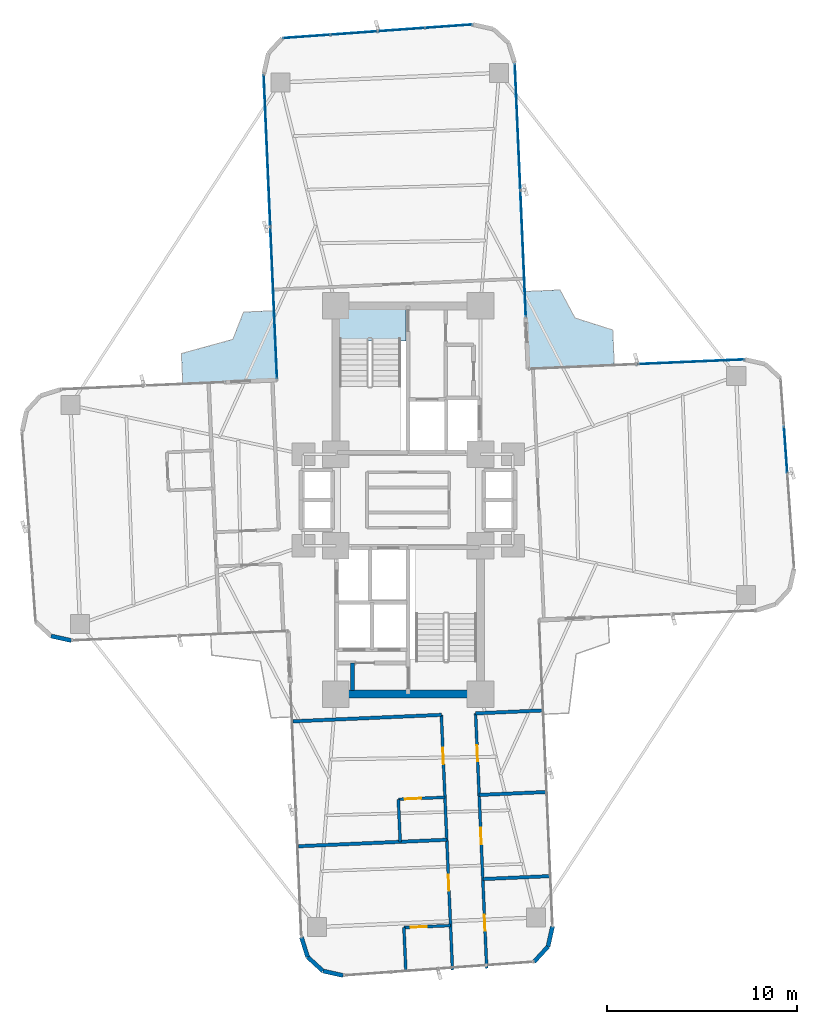
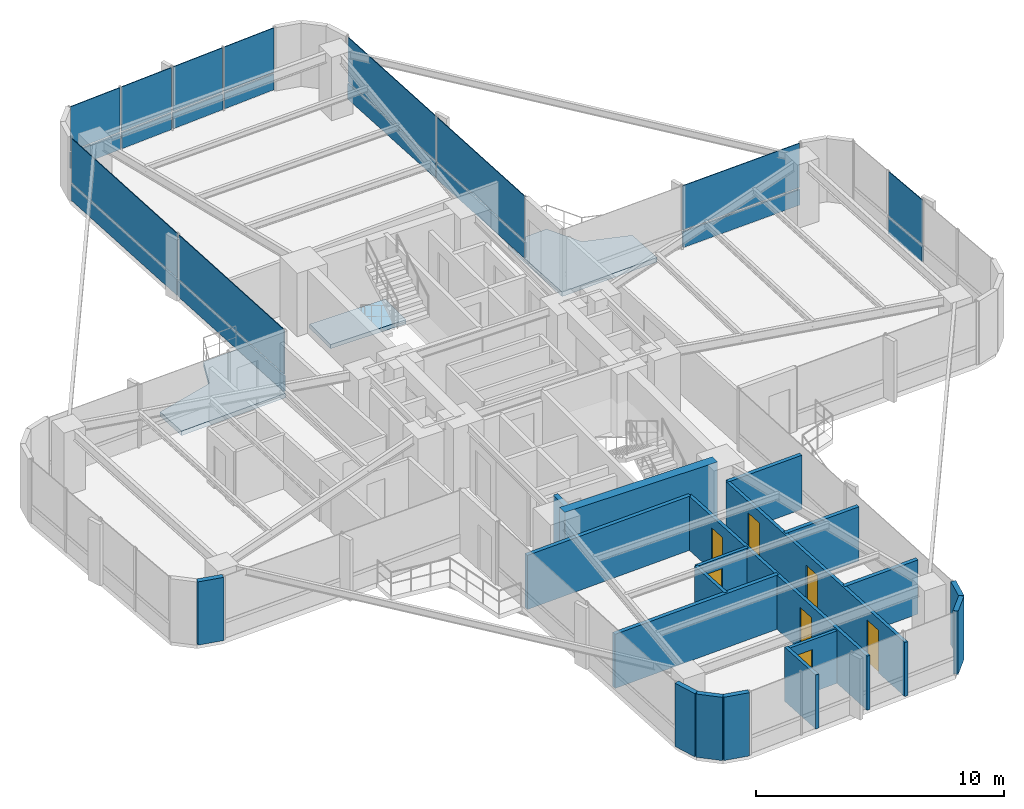
# One storey, part 22 of 26: 20 plates, 19 walls, 7 doors, 3 slabs, 7 openings, 5 elements without a shape of their own.
"""IFC4 building model written with IfcOpenShell, lengths in metres."""

from ifc_helpers import new_model, si_unit, direction, frame, frame_2d, origin, origin_2d, place, context, subcontext, project, spatial, polyline, rectangle, outline, extrude, source, transform, mapped, material, layer, layer_set, type_object, element, fill, aggregate, save


model = new_model("IFC4")

# Units and contexts
model_context = context("Model", 3, precision=1e-05, world=origin(), true_north=direction((0.0, 1.0)))
body_context = subcontext(model_context, "Body", "Model", "MODEL_VIEW")
ifc_project = project(units=[si_unit("LENGTHUNIT", "METRE"), si_unit("AREAUNIT", "SQUARE_METRE"), si_unit("VOLUMEUNIT", "CUBIC_METRE"), si_unit("PLANEANGLEUNIT", "RADIAN"), si_unit("MASSUNIT", "GRAM", prefix="KILO")], contexts=[model_context])

# Site, building, storey
site_placement = place(None, origin())
site = spatial("IfcSite", under=ifc_project, at=site_placement, CompositionType="ELEMENT")
building_placement = place(site_placement, origin())
building = spatial("IfcBuilding", under=site, at=building_placement, Name="Sahyath Konkavel Grand Hotel", CompositionType="ELEMENT")
storey_placement = place(building_placement, frame((0.0, 0.0, 96.89990234375)))
storey = spatial("IfcBuildingStorey", under=building, at=storey_placement, Name="L26", CompositionType="ELEMENT", Elevation=96.89990234375)

# Slabs
ifc_material_1 = material(Name="Concrete C40/50", Category="concrete")
ifc_layer_1 = layer(ifc_material_1, 0.219970703125)
ifc_layer_set_1 = layer_set([ifc_layer_1], Name="Concrete C40/50")
slab_type_1 = type_object("IfcSlabType", Name="SLB-BALCONY-220", PredefinedType="FLOOR", material=ifc_layer_set_1)
slab_1_placement = place(storey_placement, frame((0.0, 0.0, -0.219970703125)))
element("IfcSlab", 1, at=slab_1_placement, inside=storey, type_object=slab_type_1, Name="L26 Winter-Garden Balcony NE", PredefinedType="FLOOR", context=body_context, shape_type="SweptSolid", body=[
    extrude(outline(polyline([(6.305908203125, 6.881591796875), (10.82861328125, 7.0791015625), (10.747802734375, 8.927734375), (8.76123046875, 9.561279296875), (7.976806640625, 11.031494140625), (6.128173828125, 10.95068359375), (6.305908203125, 6.881591796875)])), origin(), (0.0, 0.0, 1.0), 0.219970703125),
])
slab_2_placement = place(storey_placement, frame((0.0, 0.0, -0.219970703125)))
element("IfcSlab", 2, at=slab_2_placement, inside=storey, type_object=slab_type_1, Name="L26 Winter-Garden Balcony NW", PredefinedType="FLOOR", context=body_context, shape_type="SweptSolid", body=[
    extrude(outline(polyline([(-6.881591796875, 6.305908203125), (-7.040283203125, 9.9404296875), (-8.642822265625, 9.870361328125), (-9.20458984375, 8.4345703125), (-11.908935546875, 7.69189453125), (-11.8388671875, 6.08935546875), (-6.881591796875, 6.305908203125)])), origin(), (0.0, 0.0, 1.0), 0.219970703125),
])
ifc_layer_2 = layer(ifc_material_1, 0.199951171875)
ifc_layer_set_2 = layer_set([ifc_layer_2], Name="Concrete C40/50")
slab_type_2 = type_object("IfcSlabType", Name="SLB-STAIR-LND", PredefinedType="LANDING", material=ifc_layer_set_2)
slab_3_placement = place(storey_placement, frame((0.0, 0.0, -0.199951171875)))
element("IfcSlab", 3, at=slab_3_placement, inside=storey, type_object=slab_type_2, Name="L26 Stair ST-1 Floor Landing Slab", PredefinedType="LANDING", context=body_context, shape_type="SweptSolid", body=[
    extrude(outline(polyline([(-3.6201171875, 8.35009765625), (-0.10009765625, 8.35009765625), (-0.10009765625, 10.02001953125), (-3.6201171875, 10.02001953125), (-3.6201171875, 8.35009765625)])), origin(), (0.0, 0.0, 1.0), 0.199951171875),
])

# Curtain wall, plate
ifc_material_2 = material(Name="Anodised Bronze Aluminium & Low-E Glazing", Category="aluminium")
curtain_wall_type = type_object("IfcCurtainWallType", Name="CW-ZONE2", PredefinedType="NOTDEFINED", material=ifc_material_2)
curtain_wall_1_placement = place(storey_placement, origin())
curtain_wall_1 = element("IfcCurtainWall", 4, at=curtain_wall_1_placement, inside=storey, type_object=curtain_wall_type, Name="L26 Unitised Curtain Wall F4", PredefinedType="NOTDEFINED")
ifc_material_3 = material(Name="Warm Buff Sandstone Cladding", Category="masonry")
ifc_layer_3 = layer(ifc_material_3, 0.074951171875)
ifc_layer_set_3 = layer_set([ifc_layer_3], Name="Warm Buff Sandstone Cladding")
plate_type_1 = type_object("IfcPlateType", Name="PNL-SPANDREL-STONE", PredefinedType="SHEET", material=ifc_layer_set_3)
shared_shape_1 = source(origin(), body_context, "Body", "SweptSolid", [
    extrude(rectangle(XDim=2.41357421875, YDim=0.074951171875, at=origin_2d()), origin(), (0.0, 0.0, 1.0), 0.77001953125),
])
plate_1_placement = place(storey_placement, frame((19.828369140625, 2.638671875, 0.0400390625), z_axis=(0.0, 0.0, 1.0), x_axis=(-0.071567078661, 0.997435789037, 0.0)))
plate_1 = element("IfcPlate", 5, at=plate_1_placement, type_object=plate_type_1, Name="L26 Sandstone Relief Spandrel Panel F4-2", PredefinedType="SHEET", context=body_context, shape_type="MappedRepresentation", body=[
    mapped(shared_shape_1, transform((0.0, 0.0, 0.0), scale=1.0)),
])

# Curtain wall, plates
curtain_wall_2_placement = place(storey_placement, origin())
curtain_wall_2 = element("IfcCurtainWall", 6, at=curtain_wall_2_placement, inside=storey, type_object=curtain_wall_type, Name="L26 Unitised Curtain Wall F12", PredefinedType="NOTDEFINED")
plate_2_placement = place(storey_placement, frame((2.130615234375, 24.880615234375, 0.0400390625), z_axis=(0.0, 0.0, 1.0), x_axis=(-0.997435789037, -0.071567078661, 0.0)))
plate_2 = element("IfcPlate", 7, at=plate_2_placement, type_object=plate_type_1, Name="L26 Sandstone Relief Spandrel Panel F12-0", PredefinedType="SHEET", context=body_context, shape_type="MappedRepresentation", body=[
    mapped(shared_shape_1, transform((0.0, 0.0, 0.0), scale=1.0)),
])
plate_3_placement = place(storey_placement, frame((-0.356689453125, 24.7021484375, 0.0400390625), z_axis=(0.0, 0.0, 1.0), x_axis=(-0.997435789037, -0.071567078661, 0.0)))
plate_3 = element("IfcPlate", 8, at=plate_3_placement, type_object=plate_type_1, Name="L26 Sandstone Relief Spandrel Panel F12-1", PredefinedType="SHEET", context=body_context, shape_type="MappedRepresentation", body=[
    mapped(shared_shape_1, transform((0.0, 0.0, 0.0), scale=1.0)),
])
plate_4_placement = place(storey_placement, frame((-2.84375, 24.523681640625, 0.0400390625), z_axis=(0.0, 0.0, 1.0), x_axis=(-0.997435789037, -0.071567078661, 0.0)))
plate_4 = element("IfcPlate", 9, at=plate_4_placement, type_object=plate_type_1, Name="L26 Sandstone Relief Spandrel Panel F12-2", PredefinedType="SHEET", context=body_context, shape_type="MappedRepresentation", body=[
    mapped(shared_shape_1, transform((0.0, 0.0, 0.0), scale=1.0)),
])
plate_5_placement = place(storey_placement, frame((-5.330810546875, 24.34521484375, 0.0400390625), z_axis=(0.0, 0.0, 1.0), x_axis=(-0.997435789037, -0.071567078661, 0.0)))
plate_5 = element("IfcPlate", 10, at=plate_5_placement, type_object=plate_type_1, Name="L26 Sandstone Relief Spandrel Panel F12-3", PredefinedType="SHEET", context=body_context, shape_type="MappedRepresentation", body=[
    mapped(shared_shape_1, transform((0.0, 0.0, 0.0), scale=1.0)),
])

# Curtain wall, plate
curtain_wall_3_placement = place(storey_placement, origin())
curtain_wall_3 = element("IfcCurtainWall", 11, at=curtain_wall_3_placement, inside=storey, type_object=curtain_wall_type, Name="L26 Unitised Curtain Wall F7", PredefinedType="NOTDEFINED")
shared_shape_2 = source(origin(), body_context, "Body", "SweptSolid", [
    extrude(rectangle(XDim=5.580078125, YDim=0.074951171875, at=origin_2d()), origin(), (0.0, 0.0, 1.0), 0.77001953125),
])
plate_6_placement = place(storey_placement, frame((14.82763671875, 7.25390625, 0.0400390625), z_axis=(0.0, 0.0, 1.0), x_axis=(-0.999048221582, -0.043619387365, 0.0)))
plate_6 = element("IfcPlate", 12, at=plate_6_placement, type_object=plate_type_1, Name="L26 Sandstone Relief Spandrel Panel F7-0", PredefinedType="SHEET", context=body_context, shape_type="MappedRepresentation", body=[
    mapped(shared_shape_2, transform((0.0, 0.0, 0.0), scale=1.0)),
])

# Curtain wall, plates
curtain_wall_4_placement = place(storey_placement, origin())
curtain_wall_4 = element("IfcCurtainWall", 13, at=curtain_wall_4_placement, inside=storey, type_object=curtain_wall_type, Name="L26 Unitised Curtain Wall F8", PredefinedType="NOTDEFINED")
shared_shape_3 = source(origin(), body_context, "Body", "SweptSolid", [
    extrude(rectangle(XDim=6.580078125, YDim=0.074951171875, at=origin_2d()), origin(), (0.0, 0.0, 1.0), 0.77001953125),
])
plate_7_placement = place(storey_placement, frame((6.041015625, 12.94580078125, 0.0400390625), z_axis=(0.0, 0.0, 1.0), x_axis=(-0.043619387365, 0.999048221582, 0.0)))
plate_7 = element("IfcPlate", 14, at=plate_7_placement, type_object=plate_type_1, Name="L26 Sandstone Relief Spandrel Panel F8-0", PredefinedType="SHEET", context=body_context, shape_type="MappedRepresentation", body=[
    mapped(shared_shape_3, transform((0.0, 0.0, 0.0), scale=1.0)),
])
plate_8_placement = place(storey_placement, frame((5.75048828125, 19.599609375, 0.0400390625), z_axis=(0.0, 0.0, 1.0), x_axis=(-0.043619387365, 0.999048221582, 0.0)))
plate_8 = element("IfcPlate", 15, at=plate_8_placement, type_object=plate_type_1, Name="L26 Sandstone Relief Spandrel Panel F8-1", PredefinedType="SHEET", context=body_context, shape_type="MappedRepresentation", body=[
    mapped(shared_shape_3, transform((0.0, 0.0, 0.0), scale=1.0)),
])

curtain_wall_5_placement = place(storey_placement, origin())
curtain_wall_5 = element("IfcCurtainWall", 16, at=curtain_wall_5_placement, inside=storey, type_object=curtain_wall_type, Name="L26 Unitised Curtain Wall F15", PredefinedType="NOTDEFINED")
shared_shape_4 = source(origin(), body_context, "Body", "SweptSolid", [
    extrude(rectangle(XDim=7.929931640625, YDim=0.074951171875, at=origin_2d()), origin(), (0.0, 0.0, 1.0), 0.77001953125),
])
plate_9_placement = place(storey_placement, frame((-7.407470703125, 18.349365234375, 0.0400390625), z_axis=(0.0, 0.0, 1.0), x_axis=(0.043619387365, -0.999048221582, 0.0)))
plate_9 = element("IfcPlate", 17, at=plate_9_placement, type_object=plate_type_1, Name="L26 Sandstone Relief Spandrel Panel F15-0", PredefinedType="SHEET", context=body_context, shape_type="MappedRepresentation", body=[
    mapped(shared_shape_4, transform((0.0, 0.0, 0.0), scale=1.0)),
])
plate_10_placement = place(storey_placement, frame((-7.05810546875, 10.346923828125, 0.0400390625), z_axis=(0.0, 0.0, 1.0), x_axis=(0.043619387365, -0.999048221582, 0.0)))
plate_10 = element("IfcPlate", 18, at=plate_10_placement, type_object=plate_type_1, Name="L26 Sandstone Relief Spandrel Panel F15-1", PredefinedType="SHEET", context=body_context, shape_type="MappedRepresentation", body=[
    mapped(shared_shape_4, transform((0.0, 0.0, 0.0), scale=1.0)),
])

# Plate
ifc_material_4 = material(Name="Low-E Solar Control Double Glazing", Category="glass")
ifc_layer_4 = layer(ifc_material_4, 0.035888671875)
ifc_layer_set_4 = layer_set([ifc_layer_4], Name="Low-E Solar Control Double Glazing")
plate_type_2 = type_object("IfcPlateType", Name="PNL-VISION-LOWE", PredefinedType="CURTAIN_PANEL", material=ifc_layer_set_4)
shared_shape_5 = source(origin(), body_context, "Body", "SweptSolid", [
    extrude(rectangle(XDim=2.41357421875, YDim=0.035888671875, at=origin_2d()), origin(), (0.0, 0.0, 1.0), 2.179931640625),
])
plate_11_placement = place(storey_placement, frame((19.828369140625, 2.638671875, 0.89013671875), z_axis=(0.0, 0.0, 1.0), x_axis=(-0.071567078661, 0.997435789037, 0.0)))
plate_11 = element("IfcPlate", 19, at=plate_11_placement, type_object=plate_type_2, Name="L26 Low-E Vision Glazing Panel F4-2", PredefinedType="CURTAIN_PANEL", context=body_context, shape_type="MappedRepresentation", body=[
    mapped(shared_shape_5, transform((0.0, 0.0, 0.0), scale=1.0)),
])

aggregate(curtain_wall_1, [plate_1, plate_11])

plate_12_placement = place(storey_placement, frame((2.130615234375, 24.880615234375, 0.89013671875), z_axis=(0.0, 0.0, 1.0), x_axis=(-0.997435789037, -0.071567078661, 0.0)))
plate_12 = element("IfcPlate", 20, at=plate_12_placement, type_object=plate_type_2, Name="L26 Low-E Vision Glazing Panel F12-0", PredefinedType="CURTAIN_PANEL", context=body_context, shape_type="MappedRepresentation", body=[
    mapped(shared_shape_5, transform((0.0, 0.0, 0.0), scale=1.0)),
])

plate_13_placement = place(storey_placement, frame((-0.356689453125, 24.7021484375, 0.89013671875), z_axis=(0.0, 0.0, 1.0), x_axis=(-0.997435789037, -0.071567078661, 0.0)))
plate_13 = element("IfcPlate", 21, at=plate_13_placement, type_object=plate_type_2, Name="L26 Low-E Vision Glazing Panel F12-1", PredefinedType="CURTAIN_PANEL", context=body_context, shape_type="MappedRepresentation", body=[
    mapped(shared_shape_5, transform((0.0, 0.0, 0.0), scale=1.0)),
])

plate_14_placement = place(storey_placement, frame((-2.84375, 24.523681640625, 0.89013671875), z_axis=(0.0, 0.0, 1.0), x_axis=(-0.997435789037, -0.071567078661, 0.0)))
plate_14 = element("IfcPlate", 22, at=plate_14_placement, type_object=plate_type_2, Name="L26 Low-E Vision Glazing Panel F12-2", PredefinedType="CURTAIN_PANEL", context=body_context, shape_type="MappedRepresentation", body=[
    mapped(shared_shape_5, transform((0.0, 0.0, 0.0), scale=1.0)),
])

plate_15_placement = place(storey_placement, frame((-5.330810546875, 24.34521484375, 0.89013671875), z_axis=(0.0, 0.0, 1.0), x_axis=(-0.997435789037, -0.071567078661, 0.0)))
plate_15 = element("IfcPlate", 23, at=plate_15_placement, type_object=plate_type_2, Name="L26 Low-E Vision Glazing Panel F12-3", PredefinedType="CURTAIN_PANEL", context=body_context, shape_type="MappedRepresentation", body=[
    mapped(shared_shape_5, transform((0.0, 0.0, 0.0), scale=1.0)),
])

aggregate(curtain_wall_2, [plate_2, plate_12, plate_3, plate_13, plate_4, plate_14, plate_5, plate_15])

shared_shape_6 = source(origin(), body_context, "Body", "SweptSolid", [
    extrude(rectangle(XDim=5.580078125, YDim=0.035888671875, at=origin_2d()), origin(), (0.0, 0.0, 1.0), 2.179931640625),
])
plate_16_placement = place(storey_placement, frame((14.82763671875, 7.25390625, 0.89013671875), z_axis=(0.0, 0.0, 1.0), x_axis=(-0.999048221582, -0.043619387365, 0.0)))
plate_16 = element("IfcPlate", 24, at=plate_16_placement, type_object=plate_type_2, Name="L26 Low-E Vision Glazing Panel F7-0", PredefinedType="CURTAIN_PANEL", context=body_context, shape_type="MappedRepresentation", body=[
    mapped(shared_shape_6, transform((0.0, 0.0, 0.0), scale=1.0)),
])

aggregate(curtain_wall_3, [plate_6, plate_16])

shared_shape_7 = source(origin(), body_context, "Body", "SweptSolid", [
    extrude(rectangle(XDim=6.580078125, YDim=0.035888671875, at=origin_2d()), origin(), (0.0, 0.0, 1.0), 2.179931640625),
])
plate_17_placement = place(storey_placement, frame((6.041015625, 12.94580078125, 0.89013671875), z_axis=(0.0, 0.0, 1.0), x_axis=(-0.043619387365, 0.999048221582, 0.0)))
plate_17 = element("IfcPlate", 25, at=plate_17_placement, type_object=plate_type_2, Name="L26 Low-E Vision Glazing Panel F8-0", PredefinedType="CURTAIN_PANEL", context=body_context, shape_type="MappedRepresentation", body=[
    mapped(shared_shape_7, transform((0.0, 0.0, 0.0), scale=1.0)),
])

plate_18_placement = place(storey_placement, frame((5.75048828125, 19.599609375, 0.89013671875), z_axis=(0.0, 0.0, 1.0), x_axis=(-0.043619387365, 0.999048221582, 0.0)))
plate_18 = element("IfcPlate", 26, at=plate_18_placement, type_object=plate_type_2, Name="L26 Low-E Vision Glazing Panel F8-1", PredefinedType="CURTAIN_PANEL", context=body_context, shape_type="MappedRepresentation", body=[
    mapped(shared_shape_7, transform((0.0, 0.0, 0.0), scale=1.0)),
])

aggregate(curtain_wall_4, [plate_7, plate_17, plate_8, plate_18])

shared_shape_8 = source(origin(), body_context, "Body", "SweptSolid", [
    extrude(rectangle(XDim=7.929931640625, YDim=0.035888671875, at=origin_2d()), origin(), (0.0, 0.0, 1.0), 2.179931640625),
])
plate_19_placement = place(storey_placement, frame((-7.407470703125, 18.349365234375, 0.89013671875), z_axis=(0.0, 0.0, 1.0), x_axis=(0.043619387365, -0.999048221582, 0.0)))
plate_19 = element("IfcPlate", 27, at=plate_19_placement, type_object=plate_type_2, Name="L26 Low-E Vision Glazing Panel F15-0", PredefinedType="CURTAIN_PANEL", context=body_context, shape_type="MappedRepresentation", body=[
    mapped(shared_shape_8, transform((0.0, 0.0, 0.0), scale=1.0)),
])

plate_20_placement = place(storey_placement, frame((-7.05810546875, 10.346923828125, 0.89013671875), z_axis=(0.0, 0.0, 1.0), x_axis=(0.043619387365, -0.999048221582, 0.0)))
plate_20 = element("IfcPlate", 28, at=plate_20_placement, type_object=plate_type_2, Name="L26 Low-E Vision Glazing Panel F15-1", PredefinedType="CURTAIN_PANEL", context=body_context, shape_type="MappedRepresentation", body=[
    mapped(shared_shape_8, transform((0.0, 0.0, 0.0), scale=1.0)),
])

aggregate(curtain_wall_5, [plate_9, plate_19, plate_10, plate_20])

# Walls
ifc_material_5 = material(Name="Concrete C50/60", Category="concrete")
ifc_layer_5 = layer(ifc_material_5, 0.419921875)
ifc_layer_set_5 = layer_set([ifc_layer_5], Name="Concrete C50/60")
wall_type_1 = type_object("IfcWallType", Name="CWALL-420", PredefinedType="SHEAR", material=ifc_layer_set_5)
wall_1_placement = place(storey_placement, frame((-3.550048828125, -10.199951171875, 0.0), z_axis=(0.0, 0.0, 1.0), x_axis=(1.0, 0.0, 0.0)))
element("IfcWall", 29, at=wall_1_placement, inside=storey, type_object=wall_type_1, Name="L26 South Core Shear Wall S", PredefinedType="SHEAR", context=body_context, shape_type="SweptSolid", body=[
    extrude(rectangle(XDim=7.10009765625, YDim=0.419921875, at=frame_2d((3.550048828125, 0.0))), origin(), (0.0, 0.0, 1.0), 3.110107421875),
])
ifc_material_6 = material(Name="Warm Buff Sandstone Insulated Concrete C40/50", Category="masonry")
ifc_layer_6 = layer(ifc_material_6, 0.219970703125)
ifc_layer_set_6 = layer_set([ifc_layer_6], Name="Warm Buff Sandstone Insulated Concrete C40/50")
wall_type_2 = type_object("IfcWallType", Name="WLL-BALC-THRESH", PredefinedType="STANDARD", material=ifc_layer_set_6)
wall_2_placement = place(storey_placement, frame((-18.75634765625, -7.1435546875, 0.0), z_axis=(0.0, 0.0, 1.0), x_axis=(0.976282085775, -0.216502399514, 0.0)))
element("IfcWall", 30, at=wall_2_placement, inside=storey, type_object=wall_type_2, Name="L26 Rounded Corner Sandstone Pier 22", PredefinedType="STANDARD", context=body_context, shape_type="SweptSolid", body=[
    extrude(rectangle(XDim=1.087158203125, YDim=0.219970703125, at=frame_2d((0.54345703125, 0.0))), origin(), (0.0, 0.0, 1.0), 3.110107421875),
])
wall_3_placement = place(storey_placement, frame((-5.603515625, -22.96630859375, 0.0), z_axis=(0.0, 0.0, 1.0), x_axis=(0.300755105707, -0.953701403161, 0.0)))
element("IfcWall", 31, at=wall_3_placement, inside=storey, type_object=wall_type_2, Name="L26 Rounded Corner Sandstone Pier 25", PredefinedType="STANDARD", context=body_context, shape_type="SweptSolid", body=[
    extrude(rectangle(XDim=1.0869140625, YDim=0.219970703125, at=frame_2d((0.54345703125, 0.0))), origin(), (0.0, 0.0, 1.0), 3.110107421875),
])
wall_4_placement = place(storey_placement, frame((-5.276611328125, -24.0029296875, 0.0), z_axis=(0.0, 0.0, 1.0), x_axis=(0.737312600672, -0.675551721847, 0.0)))
element("IfcWall", 32, at=wall_4_placement, inside=storey, type_object=wall_type_2, Name="L26 Rounded Corner Sandstone Pier 26", PredefinedType="STANDARD", context=body_context, shape_type="SweptSolid", body=[
    extrude(rectangle(XDim=1.087158203125, YDim=0.219970703125, at=frame_2d((0.54345703125, 0.0))), origin(), (0.0, 0.0, 1.0), 3.110107421875),
])
for number, where, z_axis, x_axis, name in (
    (33, (-4.47509765625, -24.7373046875, 0.0), (0.0, 0.0, 1.0), (0.976271555154, -0.216549880158, 0.0), "L26 Rounded Corner Sandstone Pier 27"),
    (34, (6.6142578125, -24.253173828125, 0.0), (0.0, 0.0, 1.0), (0.675663596772, 0.737210081318, 0.0), "L26 Rounded Corner Sandstone Pier 29"),
):
    element("IfcWall", number, at=place(storey_placement, frame(where, z_axis=z_axis, x_axis=x_axis)), inside=storey, type_object=wall_type_2, Name=name, PredefinedType="STANDARD", context=body_context, shape_type="SweptSolid", body=[
        extrude(rectangle(XDim=1.0869140625, YDim=0.219970703125, at=frame_2d((0.54345703125, 0.0))), origin(), (0.0, 0.0, 1.0), 3.110107421875),
    ])
wall_5_placement = place(storey_placement, frame((7.3486328125, -23.451904296875, 0.0), z_axis=(0.0, 0.0, 1.0), x_axis=(0.216454939174, 0.976292609471, 0.0)))
element("IfcWall", 35, at=wall_5_placement, inside=storey, type_object=wall_type_2, Name="L26 Rounded Corner Sandstone Pier 30", PredefinedType="STANDARD", context=body_context, shape_type="SweptSolid", body=[
    extrude(rectangle(XDim=1.08740234375, YDim=0.219970703125, at=frame_2d((0.543701171875, 0.0))), origin(), (0.0, 0.0, 1.0), 3.110107421875),
])
ifc_layer_7 = layer(ifc_material_1, 0.199951171875)
ifc_layer_set_7 = layer_set([ifc_layer_7], Name="Concrete C40/50")
wall_type_3 = type_object("IfcWallType", Name="WLL-CORE-200", PredefinedType="SOLIDWALL", material=ifc_layer_set_7)
wall_6_placement = place(storey_placement, frame((-2.919921875, -10.0, 0.0), z_axis=(0.0, 0.0, 1.0), x_axis=(0.0, 1.0, 0.0)))
element("IfcWall", 36, at=wall_6_placement, inside=storey, type_object=wall_type_3, Name="L26 Partition SFF-W2", PredefinedType="SOLIDWALL", context=body_context, shape_type="SweptSolid", body=[
    extrude(rectangle(XDim=1.43994140625, YDim=0.199951171875, at=frame_2d((0.719970703125, 0.0))), origin(), (0.0, 0.0, 1.0), 2.66015625),
])
ifc_material_7 = material(Name="Twin-Stud Acoustic Gypsum Plasterboard Partition")
ifc_layer_8 = layer(ifc_material_7, 0.179931640625)
ifc_layer_set_8 = layer_set([ifc_layer_8], Name="Twin-Stud Acoustic Gypsum Plasterboard Partition")
wall_type_4 = type_object("IfcWallType", Name="WLL-DEMISE-180", PredefinedType="PARTITIONING", material=ifc_layer_set_8)
wall_7_placement = place(storey_placement, frame((3.542236328125, -11.206298828125, 0.0), z_axis=(0.0, 0.0, 1.0), x_axis=(0.999046129111, 0.04366728647, 0.0)))
element("IfcWall", 37, at=wall_7_placement, inside=storey, type_object=wall_type_4, Name="L26 Partition S-INL", PredefinedType="PARTITIONING", context=body_context, shape_type="SweptSolid", body=[
    extrude(rectangle(XDim=3.5, YDim=0.179931640625, at=frame_2d((1.75, 0.0))), origin(), (0.0, 0.0, 1.0), 2.66015625),
])
wall_8_placement = place(storey_placement, frame((-6.048583984375, -11.625, 0.0), z_axis=(0.0, 0.0, 1.0), x_axis=(0.999047634936, 0.043632821702, 0.0)))
element("IfcWall", 38, at=wall_8_placement, inside=storey, type_object=wall_type_4, Name="L26 Partition S-INR", PredefinedType="PARTITIONING", context=body_context, shape_type="SweptSolid", body=[
    extrude(rectangle(XDim=7.7998046875, YDim=0.179931640625, at=frame_2d((3.89990234375, 0.0))), origin(), (0.0, 0.0, 1.0), 2.66015625),
])
for number, where, z_axis, x_axis, name in (
    (39, (3.729248046875, -15.489990234375, 0.0), (0.0, 0.0, 1.0), (0.999049169846, 0.043597663116, 0.0), "L26 Partition S-S1L-DEM"),
    (40, (3.922119140625, -19.907958984375, 0.0), (0.0, 0.0, 1.0), (0.999046129111, 0.04366728647, 0.0), "L26 Partition S-S2L-DEM"),
):
    element("IfcWall", number, at=place(storey_placement, frame(where, z_axis=z_axis, x_axis=x_axis)), inside=storey, type_object=wall_type_4, Name=name, PredefinedType="PARTITIONING", context=body_context, shape_type="SweptSolid", body=[
        extrude(rectangle(XDim=3.5, YDim=0.179931640625, at=frame_2d((1.75, 0.0))), origin(), (0.0, 0.0, 1.0), 2.66015625),
    ])
wall_9_placement = place(storey_placement, frame((2.0302734375, -17.844482421875, 0.0), z_axis=(0.0, 0.0, 1.0), x_axis=(-0.999047634936, -0.043632821702, 0.0)))
element("IfcWall", 41, at=wall_9_placement, inside=storey, type_object=wall_type_4, Name="L26 Partition S-S1R-DEM", PredefinedType="PARTITIONING", context=body_context, shape_type="SweptSolid", body=[
    extrude(rectangle(XDim=7.7998046875, YDim=0.179931640625, at=frame_2d((3.89990234375, 0.0))), origin(), (0.0, 0.0, 1.0), 2.66015625),
])

# Wall, openings, doors
ifc_material_8 = material(Name="Fire-Rated Gypsum Plasterboard Partition")
ifc_layer_9 = layer(ifc_material_8, 0.14990234375)
ifc_layer_set_9 = layer_set([ifc_layer_9], Name="Fire-Rated Gypsum Plasterboard Partition")
wall_type_5 = type_object("IfcWallType", Name="WLL-PART-150", PredefinedType="PARTITIONING", material=ifc_layer_set_9)
wall_10_placement = place(storey_placement, frame((3.542236328125, -11.206298828125, 0.0), z_axis=(0.0, 0.0, 1.0), x_axis=(0.043617493533, -0.999048304267, 0.0)))
wall_10 = element("IfcWall", 42, at=wall_10_placement, inside=storey, type_object=wall_type_5, Name="L26 Partition S-CL", PredefinedType="PARTITIONING", context=body_context, shape_type="SweptSolid", body=[
    extrude(rectangle(XDim=13.39990234375, YDim=0.14990234375, at=frame_2d((6.699951171875, 0.0))), origin(), (0.0, 0.0, 1.0), 2.66015625),
])
opening_1_placement = place(wall_10_placement, frame((1.6689453125, 0.0, 0.0)))
opening_1 = element("IfcOpeningElement", 43, at=opening_1_placement, cuts=wall_10, Name="Opening D-F06D", PredefinedType="OPENING", context=body_context, shape_type="SweptSolid", body=[
    extrude(rectangle(XDim=0.85009765625, YDim=2.10009765625, at=frame_2d((0.425048828125, 1.050048828125))), frame((0.0, 0.0849609375, 0.0), z_axis=(0.0, -1.0, 0.0), x_axis=(1.0, 0.0, 0.0)), (0.0, 0.0, 1.0), 0.169921875),
])
opening_2_placement = place(wall_10_placement, frame((6.02392578125, 0.0, 0.0)))
opening_2 = element("IfcOpeningElement", 44, at=opening_2_placement, cuts=wall_10, Name="Opening D-F06D", PredefinedType="OPENING", context=body_context, shape_type="SweptSolid", body=[
    extrude(rectangle(XDim=0.85009765625, YDim=2.10009765625, at=frame_2d((0.425048828125, 1.050048828125))), frame((0.0, 0.0849609375, 0.0), z_axis=(0.0, -1.0, 0.0), x_axis=(1.0, 0.0, 0.0)), (0.0, 0.0, 1.0), 0.169921875),
])
opening_3_placement = place(wall_10_placement, frame((10.580078125, 0.0, 0.0)))
opening_3 = element("IfcOpeningElement", 45, at=opening_3_placement, cuts=wall_10, Name="Opening D-F06D", PredefinedType="OPENING", context=body_context, shape_type="SweptSolid", body=[
    extrude(rectangle(XDim=0.85009765625, YDim=2.10009765625, at=frame_2d((0.425048828125, 1.050048828125))), frame((0.0, 0.0849609375, 0.0), z_axis=(0.0, -1.0, 0.0), x_axis=(1.0, 0.0, 0.0)), (0.0, 0.0, 1.0), 0.169921875),
])
ifc_material_9 = material(Name="Fire-Rated Shaft Access Door")
door_type_1 = type_object("IfcDoorType", Name="DR-FD60-850", OperationType="NOTDEFINED", PredefinedType="DOOR", material=ifc_material_9)
shared_shape_9 = source(origin(), body_context, "Body", "SweptSolid", [
    extrude(rectangle(XDim=0.85009765625, YDim=0.050048828125, at=origin_2d()), origin(), (0.0, 0.0, 1.0), 2.10009765625),
])
door_1_placement = place(opening_1_placement, frame((0.425048828125, 0.0, 0.0)))
door_1 = element("IfcDoor", 46, at=door_1_placement, inside=storey, type_object=door_type_1, Name="L26 Door S-S1L-D", OperationType="SINGLE_SWING_LEFT", OverallHeight=2.10009765625, OverallWidth=0.85009765625, PredefinedType="DOOR", context=body_context, shape_type="MappedRepresentation", body=[
    mapped(shared_shape_9, transform((0.0, 0.0, 0.0), scale=1.0)),
])
fill(opening_1, door_1)
door_2_placement = place(opening_2_placement, frame((0.425048828125, 0.0, 0.0)))
door_2 = element("IfcDoor", 47, at=door_2_placement, inside=storey, type_object=door_type_1, Name="L26 Door S-S2L-D", OperationType="SINGLE_SWING_RIGHT", OverallHeight=2.10009765625, OverallWidth=0.85009765625, PredefinedType="DOOR", context=body_context, shape_type="MappedRepresentation", body=[
    mapped(shared_shape_9, transform((0.0, 0.0, 0.0), scale=1.0)),
])
fill(opening_2, door_2)
door_3_placement = place(opening_3_placement, frame((0.425048828125, 0.0, 0.0)))
door_3 = element("IfcDoor", 48, at=door_3_placement, inside=storey, type_object=door_type_1, Name="L26 Door S-S3L-D", OperationType="SINGLE_SWING_LEFT", OverallHeight=2.10009765625, OverallWidth=0.85009765625, PredefinedType="DOOR", context=body_context, shape_type="MappedRepresentation", body=[
    mapped(shared_shape_9, transform((0.0, 0.0, 0.0), scale=1.0)),
])
fill(opening_3, door_3)

wall_11_placement = place(storey_placement, frame((1.743896484375, -11.28466796875, 0.0), z_axis=(0.0, 0.0, 1.0), x_axis=(0.043617493533, -0.999048304267, 0.0)))
wall_11 = element("IfcWall", 49, at=wall_11_placement, inside=storey, type_object=wall_type_5, Name="L26 Partition S-CR", PredefinedType="PARTITIONING", context=body_context, shape_type="SweptSolid", body=[
    extrude(rectangle(XDim=13.39990234375, YDim=0.14990234375, at=frame_2d((6.699951171875, 0.0))), origin(), (0.0, 0.0, 1.0), 2.66015625),
])
opening_4_placement = place(wall_11_placement, frame((1.741943359375, 0.0, 0.0)))
opening_4 = element("IfcOpeningElement", 50, at=opening_4_placement, cuts=wall_11, Name="Opening D-F06D", PredefinedType="OPENING", context=body_context, shape_type="SweptSolid", body=[
    extrude(rectangle(XDim=0.85009765625, YDim=2.10009765625, at=frame_2d((0.425048828125, 1.050048828125))), frame((0.0, 0.0849609375, 0.0), z_axis=(0.0, -1.0, 0.0), x_axis=(1.0, 0.0, 0.0)), (0.0, 0.0, 1.0), 0.169921875),
])
opening_5_placement = place(wall_11_placement, frame((8.39599609375, 0.0, 0.0)))
opening_5 = element("IfcOpeningElement", 51, at=opening_5_placement, cuts=wall_11, Name="Opening D-F06D", PredefinedType="OPENING", context=body_context, shape_type="SweptSolid", body=[
    extrude(rectangle(XDim=0.85009765625, YDim=2.10009765625, at=frame_2d((0.425048828125, 1.050048828125))), frame((0.0, 0.0849609375, 0.0), z_axis=(0.0, -1.0, 0.0), x_axis=(1.0, 0.0, 0.0)), (0.0, 0.0, 1.0), 0.169921875),
])
door_4_placement = place(opening_4_placement, frame((0.425048828125, 0.0, 0.0)))
door_4 = element("IfcDoor", 52, at=door_4_placement, inside=storey, type_object=door_type_1, Name="L26 Door S-S1R-ED", OperationType="SINGLE_SWING_LEFT", OverallHeight=2.10009765625, OverallWidth=0.85009765625, PredefinedType="DOOR", context=body_context, shape_type="MappedRepresentation", body=[
    mapped(shared_shape_9, transform((0.0, 0.0, 0.0), scale=1.0)),
])
fill(opening_4, door_4)
door_5_placement = place(opening_5_placement, frame((0.425048828125, 0.0, 0.0)))
door_5 = element("IfcDoor", 53, at=door_5_placement, inside=storey, type_object=door_type_1, Name="L26 Door S-S2R-ED", OperationType="SINGLE_SWING_LEFT", OverallHeight=2.10009765625, OverallWidth=0.85009765625, PredefinedType="DOOR", context=body_context, shape_type="MappedRepresentation", body=[
    mapped(shared_shape_9, transform((0.0, 0.0, 0.0), scale=1.0)),
])
fill(opening_5, door_5)

# Wall, opening, door
wall_12_placement = place(storey_placement, frame((1.932861328125, -15.614501953125, 0.0), z_axis=(0.0, 0.0, 1.0), x_axis=(-0.999046922443, -0.043649132372, 0.0)))
wall_12 = element("IfcWall", 54, at=wall_12_placement, inside=storey, type_object=wall_type_5, Name="L26 Partition S-S1R-BS", PredefinedType="PARTITIONING", context=body_context, shape_type="SweptSolid", body=[
    extrude(rectangle(XDim=2.449951171875, YDim=0.14990234375, at=frame_2d((1.22509765625, 0.0))), origin(), (0.0, 0.0, 1.0), 2.66015625),
])
opening_6_placement = place(wall_12_placement, frame((1.25, 0.0, 0.0)))
opening_6 = element("IfcOpeningElement", 55, at=opening_6_placement, cuts=wall_12, Name="Opening D-BT85", PredefinedType="OPENING", context=body_context, shape_type="SweptSolid", body=[
    extrude(rectangle(XDim=0.85009765625, YDim=2.10009765625, at=frame_2d((0.425048828125, 1.050048828125))), frame((0.0, 0.0849609375, 0.0), z_axis=(0.0, -1.0, 0.0), x_axis=(1.0, 0.0, 0.0)), (0.0, 0.0, 1.0), 0.169921875),
])
ifc_material_10 = material(Name="Moisture-Resistant Teak Bathroom Door")
door_type_2 = type_object("IfcDoorType", Name="DR-BATH-850", OperationType="NOTDEFINED", PredefinedType="DOOR", material=ifc_material_10)
door_6_placement = place(opening_6_placement, frame((0.425048828125, 0.0, 0.0)))
door_6 = element("IfcDoor", 56, at=door_6_placement, inside=storey, type_object=door_type_2, Name="L26 Door S-S1R-BD", OperationType="SINGLE_SWING_RIGHT", OverallHeight=2.10009765625, OverallWidth=0.85009765625, PredefinedType="DOOR", context=body_context, shape_type="MappedRepresentation", body=[
    mapped(shared_shape_9, transform((0.0, 0.0, 0.0), scale=1.0)),
])
fill(opening_6, door_6)

# Wall
wall_13_placement = place(storey_placement, frame((-0.5146484375, -15.721435546875, 0.0), z_axis=(0.0, 0.0, 1.0), x_axis=(0.0435321553, -0.999052026401, 0.0)))
element("IfcWall", 57, at=wall_13_placement, inside=storey, type_object=wall_type_5, Name="L26 Partition S-S1R-BF", PredefinedType="PARTITIONING", context=body_context, shape_type="SweptSolid", body=[
    extrude(rectangle(XDim=2.232177734375, YDim=0.14990234375, at=frame_2d((1.1162109375, 0.0))), origin(), (0.0, 0.0, 1.0), 2.66015625),
])

# Wall, opening, door
wall_14_placement = place(storey_placement, frame((2.22705078125, -22.35009765625, 0.0), z_axis=(0.0, 0.0, 1.0), x_axis=(-0.999047112283, -0.043644787072, 0.0)))
wall_14 = element("IfcWall", 58, at=wall_14_placement, inside=storey, type_object=wall_type_5, Name="L26 Partition S-S2R-BS", PredefinedType="PARTITIONING", context=body_context, shape_type="SweptSolid", body=[
    extrude(rectangle(XDim=2.4501953125, YDim=0.14990234375, at=frame_2d((1.22509765625, 0.0))), origin(), (0.0, 0.0, 1.0), 2.580078125),
])
opening_7_placement = place(wall_14_placement, frame((1.25, 0.0, 0.0)))
opening_7 = element("IfcOpeningElement", 59, at=opening_7_placement, cuts=wall_14, Name="Opening D-BT85", PredefinedType="OPENING", context=body_context, shape_type="SweptSolid", body=[
    extrude(rectangle(XDim=0.85009765625, YDim=2.10009765625, at=frame_2d((0.425048828125, 1.050048828125))), frame((0.0, 0.0849609375, 0.0), z_axis=(0.0, -1.0, 0.0), x_axis=(1.0, 0.0, 0.0)), (0.0, 0.0, 1.0), 0.169921875),
])
door_7_placement = place(opening_7_placement, frame((0.425048828125, 0.0, 0.0)))
door_7 = element("IfcDoor", 60, at=door_7_placement, inside=storey, type_object=door_type_2, Name="L26 Door S-S2R-BD", OperationType="SINGLE_SWING_RIGHT", OverallHeight=2.10009765625, OverallWidth=0.85009765625, PredefinedType="DOOR", context=body_context, shape_type="MappedRepresentation", body=[
    mapped(shared_shape_9, transform((0.0, 0.0, 0.0), scale=1.0)),
])
fill(opening_7, door_7)

# Wall
wall_15_placement = place(storey_placement, frame((-0.220703125, -22.45703125, 0.0), z_axis=(0.0, 0.0, 1.0), x_axis=(0.043596784584, -0.999049208184, 0.0)))
element("IfcWall", 61, at=wall_15_placement, inside=storey, type_object=wall_type_5, Name="L26 Partition S-S2R-BF", PredefinedType="PARTITIONING", context=body_context, shape_type="SweptSolid", body=[
    extrude(rectangle(XDim=2.323974609375, YDim=0.14990234375, at=frame_2d((1.162109375, 0.0))), origin(), (0.0, 0.0, 1.0), 2.66015625),
])

save(model, "model.ifc")
